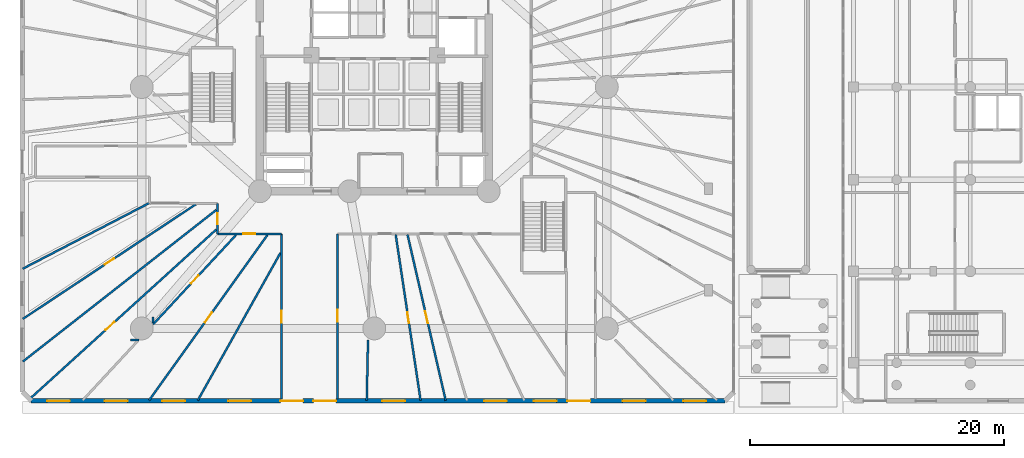
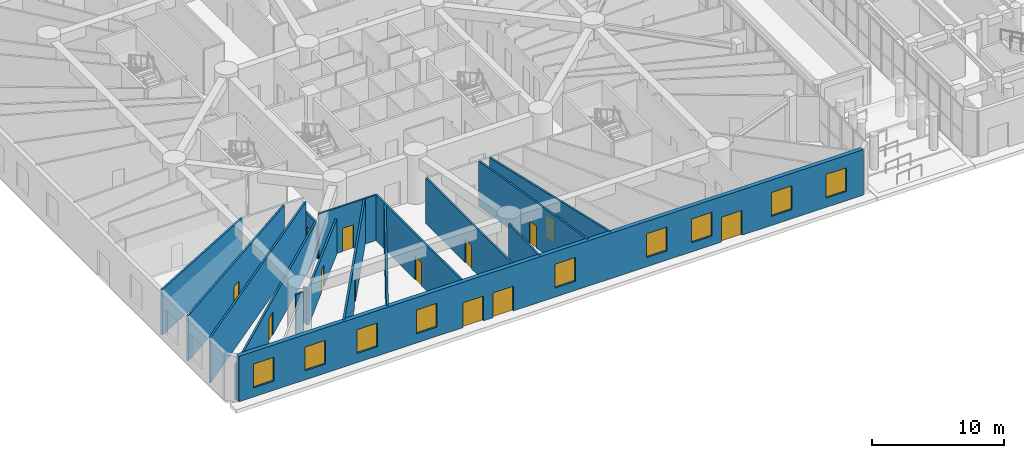
# One storey, part 13 of 30: 17 walls, 13 doors, 9 windows, 22 openings.
"""IFC4 building model written with IfcOpenShell, lengths in metres."""

from ifc_helpers import new_model, si_unit, direction, frame, frame_2d, origin, origin_with_axes, place, context, subcontext, project, spatial, rectangle, extrude, source, transform, mapped, material, layer, layer_set, type_object, element, fill, save


model = new_model("IFC4")

# Units and contexts
model_context = context("Model", 3, precision=1e-05, world=origin(), true_north=direction((0.0, 1.0)))
body_context = subcontext(model_context, "Body", "Model", "MODEL_VIEW")
ifc_project = project(units=[si_unit("LENGTHUNIT", "METRE"), si_unit("AREAUNIT", "SQUARE_METRE"), si_unit("VOLUMEUNIT", "CUBIC_METRE"), si_unit("PLANEANGLEUNIT", "RADIAN"), si_unit("MASSUNIT", "GRAM", prefix="KILO")], contexts=[model_context])

# Site, building, storey
site_placement = place(None, origin())
site = spatial("IfcSite", under=ifc_project, at=site_placement, CompositionType="ELEMENT")
building_placement = place(site_placement, origin())
building = spatial("IfcBuilding", under=site, at=building_placement, Name="Karkom Vertical University and Central Library", CompositionType="ELEMENT")
storey_placement = place(building_placement, origin())
storey = spatial("IfcBuildingStorey", under=building, at=storey_placement, Name="L00", CompositionType="ELEMENT", Elevation=0.0)

# Wall, openings, windows, doors
ifc_material_1 = material(Name="Brick masonry 360mm insulated cavity", Category="masonry")
ifc_layer_1 = layer(ifc_material_1, 0.360107421875)
ifc_layer_set_1 = layer_set([ifc_layer_1], Name="Brick masonry 360mm insulated cavity")
wall_type_1 = type_object("IfcWallType", Name="ENV-WL-BRK-360", PredefinedType="SOLIDWALL", material=ifc_layer_set_1)
wall_1_placement = place(storey_placement, frame((56.10009765625, 1.800048828125, 0.0), z_axis=(0.0, 0.0, 1.0), x_axis=(-1.0, 0.0, 0.0)))
wall_1 = element("IfcWall", 1, at=wall_1_placement, inside=storey, type_object=wall_type_1, Name="Level 00 POD Terracotta Brick Facade Wall 01", PredefinedType="SOLIDWALL", context=body_context, shape_type="SweptSolid", body=[
    extrude(rectangle(XDim=54.60009765625, YDim=0.360107421875, at=frame_2d((27.300048828125, 0.0))), origin(), (0.0, 0.0, 1.0), 4.199951171875),
])
opening_1_placement = place(wall_1_placement, frame((51.54736328125, 0.0, 0.85009765625)))
opening_1 = element("IfcOpeningElement", 2, at=opening_1_placement, cuts=wall_1, Name="Opening WN-01", PredefinedType="OPENING", context=body_context, shape_type="SweptSolid", body=[
    extrude(rectangle(XDim=1.800048828125, YDim=2.199951171875, at=frame_2d((0.89990234375, 1.10009765625))), frame((0.0, 0.18994140625, 0.0), z_axis=(0.0, -1.0, 0.0), x_axis=(1.0, 0.0, 0.0)), (0.0, 0.0, 1.0), 0.380126953125),
])
opening_2_placement = place(wall_1_placement, frame((47.014404296875, 0.0, 0.85009765625)))
opening_2 = element("IfcOpeningElement", 3, at=opening_2_placement, cuts=wall_1, Name="Opening WN-01", PredefinedType="OPENING", context=body_context, shape_type="SweptSolid", body=[
    extrude(rectangle(XDim=1.800048828125, YDim=2.199951171875, at=frame_2d((0.89990234375, 1.10009765625))), frame((0.0, 0.18994140625, 0.0), z_axis=(0.0, -1.0, 0.0), x_axis=(1.0, 0.0, 0.0)), (0.0, 0.0, 1.0), 0.380126953125),
])
opening_3_placement = place(wall_1_placement, frame((42.489501953125, 0.0, 0.85009765625)))
opening_3 = element("IfcOpeningElement", 4, at=opening_3_placement, cuts=wall_1, Name="Opening WN-01", PredefinedType="OPENING", context=body_context, shape_type="SweptSolid", body=[
    extrude(rectangle(XDim=1.800048828125, YDim=2.199951171875, at=frame_2d((0.89990234375, 1.10009765625))), frame((0.0, 0.18994140625, 0.0), z_axis=(0.0, -1.0, 0.0), x_axis=(1.0, 0.0, 0.0)), (0.0, 0.0, 1.0), 0.380126953125),
])
opening_4_placement = place(wall_1_placement, frame((37.28759765625, 0.0, 0.85009765625)))
opening_4 = element("IfcOpeningElement", 5, at=opening_4_placement, cuts=wall_1, Name="Opening WN-01", PredefinedType="OPENING", context=body_context, shape_type="SweptSolid", body=[
    extrude(rectangle(XDim=1.800048828125, YDim=2.199951171875, at=frame_2d((0.89990234375, 1.10009765625))), frame((0.0, 0.18994140625, 0.0), z_axis=(0.0, -1.0, 0.0), x_axis=(1.0, 0.0, 0.0)), (0.0, 0.0, 1.0), 0.380126953125),
])
opening_5_placement = place(wall_1_placement, frame((25.17626953125, 0.0, 0.85009765625)))
opening_5 = element("IfcOpeningElement", 6, at=opening_5_placement, cuts=wall_1, Name="Opening WN-01", PredefinedType="OPENING", context=body_context, shape_type="SweptSolid", body=[
    extrude(rectangle(XDim=1.800048828125, YDim=2.199951171875, at=frame_2d((0.89990234375, 1.10009765625))), frame((0.0, 0.18994140625, 0.0), z_axis=(0.0, -1.0, 0.0), x_axis=(1.0, 0.0, 0.0)), (0.0, 0.0, 1.0), 0.380126953125),
])
opening_6_placement = place(wall_1_placement, frame((17.161865234375, 0.0, 0.85009765625)))
opening_6 = element("IfcOpeningElement", 7, at=opening_6_placement, cuts=wall_1, Name="Opening WN-01", PredefinedType="OPENING", context=body_context, shape_type="SweptSolid", body=[
    extrude(rectangle(XDim=1.800048828125, YDim=2.199951171875, at=frame_2d((0.89990234375, 1.10009765625))), frame((0.0, 0.18994140625, 0.0), z_axis=(0.0, -1.0, 0.0), x_axis=(1.0, 0.0, 0.0)), (0.0, 0.0, 1.0), 0.380126953125),
])
opening_7_placement = place(wall_1_placement, frame((13.243896484375, 0.0, 0.85009765625)))
opening_7 = element("IfcOpeningElement", 8, at=opening_7_placement, cuts=wall_1, Name="Opening WN-01", PredefinedType="OPENING", context=body_context, shape_type="SweptSolid", body=[
    extrude(rectangle(XDim=1.800048828125, YDim=2.199951171875, at=frame_2d((0.89990234375, 1.10009765625))), frame((0.0, 0.18994140625, 0.0), z_axis=(0.0, -1.0, 0.0), x_axis=(1.0, 0.0, 0.0)), (0.0, 0.0, 1.0), 0.380126953125),
])
opening_8_placement = place(wall_1_placement, frame((6.25, 0.0, 0.85009765625)))
opening_8 = element("IfcOpeningElement", 9, at=opening_8_placement, cuts=wall_1, Name="Opening WN-01", PredefinedType="OPENING", context=body_context, shape_type="SweptSolid", body=[
    extrude(rectangle(XDim=1.800048828125, YDim=2.199951171875, at=frame_2d((0.89990234375, 1.10009765625))), frame((0.0, 0.18994140625, 0.0), z_axis=(0.0, -1.0, 0.0), x_axis=(1.0, 0.0, 0.0)), (0.0, 0.0, 1.0), 0.380126953125),
])
opening_9_placement = place(wall_1_placement, frame((1.480224609375, 0.0, 0.85009765625)))
opening_9 = element("IfcOpeningElement", 10, at=opening_9_placement, cuts=wall_1, Name="Opening WN-01", PredefinedType="OPENING", context=body_context, shape_type="SweptSolid", body=[
    extrude(rectangle(XDim=1.800048828125, YDim=2.199951171875, at=frame_2d((0.89990234375, 1.10009765625))), frame((0.0, 0.18994140625, 0.0), z_axis=(0.0, -1.0, 0.0), x_axis=(1.0, 0.0, 0.0)), (0.0, 0.0, 1.0), 0.380126953125),
])
opening_10_placement = place(wall_1_placement, frame((33.199951171875, 0.0, 0.0)))
opening_10 = element("IfcOpeningElement", 11, at=opening_10_placement, cuts=wall_1, Name="Opening ED-1", PredefinedType="OPENING", context=body_context, shape_type="SweptSolid", body=[
    extrude(rectangle(XDim=1.800048828125, YDim=2.300048828125, at=frame_2d((0.89990234375, 1.14990234375))), frame((0.0, 0.18994140625, 0.0), z_axis=(0.0, -1.0, 0.0), x_axis=(1.0, 0.0, 0.0)), (0.0, 0.0, 1.0), 0.380126953125),
])
opening_11_placement = place(wall_1_placement, frame((30.60009765625, 0.0, 0.0)))
opening_11 = element("IfcOpeningElement", 12, at=opening_11_placement, cuts=wall_1, Name="Opening ED-1", PredefinedType="OPENING", context=body_context, shape_type="SweptSolid", body=[
    extrude(rectangle(XDim=1.800048828125, YDim=2.300048828125, at=frame_2d((0.89990234375, 1.14990234375))), frame((0.0, 0.18994140625, 0.0), z_axis=(0.0, -1.0, 0.0), x_axis=(1.0, 0.0, 0.0)), (0.0, 0.0, 1.0), 0.380126953125),
])
opening_12_placement = place(wall_1_placement, frame((10.60009765625, 0.0, 0.0)))
opening_12 = element("IfcOpeningElement", 13, at=opening_12_placement, cuts=wall_1, Name="Opening ED-1", PredefinedType="OPENING", context=body_context, shape_type="SweptSolid", body=[
    extrude(rectangle(XDim=1.800048828125, YDim=2.300048828125, at=frame_2d((0.89990234375, 1.14990234375))), frame((0.0, 0.18994140625, 0.0), z_axis=(0.0, -1.0, 0.0), x_axis=(1.0, 0.0, 0.0)), (0.0, 0.0, 1.0), 0.380126953125),
])
ifc_material_2 = material(Name="Aluminium thermal-break frame with solar-control IGU", Category="aluminium")
window_type = type_object("IfcWindowType", Name="ENV-WIN-WN-01", PartitioningType="SINGLE_PANEL", PredefinedType="WINDOW", material=ifc_material_2)
shared_shape_1 = source(origin_with_axes(), body_context, "Body", "SweptSolid", [
    extrude(rectangle(XDim=1.800048828125, YDim=2.199951171875, at=frame_2d((0.89990234375, 1.10009765625))), frame((0.0, 0.030029296875, 0.0), z_axis=(0.0, -1.0, 0.0), x_axis=(1.0, 0.0, 0.0)), (0.0, 0.0, 1.0), 0.06005859375),
])
window_1_placement = place(opening_1_placement, origin())
window_1 = element("IfcWindow", 14, at=window_1_placement, inside=storey, type_object=window_type, Name="Level 00 POD Punched Window 01", OverallHeight=2.199951171875, OverallWidth=1.800048828125, PartitioningType="SINGLE_PANEL", PredefinedType="WINDOW", context=body_context, shape_type="MappedRepresentation", body=[
    mapped(shared_shape_1, transform((0.0, 0.0, 0.0), scale=1.0)),
])
fill(opening_1, window_1)
window_2_placement = place(opening_2_placement, origin())
window_2 = element("IfcWindow", 15, at=window_2_placement, inside=storey, type_object=window_type, Name="Level 00 POD Punched Window 02", OverallHeight=2.199951171875, OverallWidth=1.800048828125, PartitioningType="SINGLE_PANEL", PredefinedType="WINDOW", context=body_context, shape_type="MappedRepresentation", body=[
    mapped(shared_shape_1, transform((0.0, 0.0, 0.0), scale=1.0)),
])
fill(opening_2, window_2)
window_3_placement = place(opening_3_placement, origin())
window_3 = element("IfcWindow", 16, at=window_3_placement, inside=storey, type_object=window_type, Name="Level 00 POD Punched Window 03", OverallHeight=2.199951171875, OverallWidth=1.800048828125, PartitioningType="SINGLE_PANEL", PredefinedType="WINDOW", context=body_context, shape_type="MappedRepresentation", body=[
    mapped(shared_shape_1, transform((0.0, 0.0, 0.0), scale=1.0)),
])
fill(opening_3, window_3)
window_4_placement = place(opening_4_placement, origin())
window_4 = element("IfcWindow", 17, at=window_4_placement, inside=storey, type_object=window_type, Name="Level 00 POD Punched Window 04", OverallHeight=2.199951171875, OverallWidth=1.800048828125, PartitioningType="SINGLE_PANEL", PredefinedType="WINDOW", context=body_context, shape_type="MappedRepresentation", body=[
    mapped(shared_shape_1, transform((0.0, 0.0, 0.0), scale=1.0)),
])
fill(opening_4, window_4)
window_5_placement = place(opening_5_placement, origin())
window_5 = element("IfcWindow", 18, at=window_5_placement, inside=storey, type_object=window_type, Name="Level 00 POD Punched Window 06", OverallHeight=2.199951171875, OverallWidth=1.800048828125, PartitioningType="SINGLE_PANEL", PredefinedType="WINDOW", context=body_context, shape_type="MappedRepresentation", body=[
    mapped(shared_shape_1, transform((0.0, 0.0, 0.0), scale=1.0)),
])
fill(opening_5, window_5)
window_6_placement = place(opening_6_placement, origin())
window_6 = element("IfcWindow", 19, at=window_6_placement, inside=storey, type_object=window_type, Name="Level 00 POD Punched Window 07", OverallHeight=2.199951171875, OverallWidth=1.800048828125, PartitioningType="SINGLE_PANEL", PredefinedType="WINDOW", context=body_context, shape_type="MappedRepresentation", body=[
    mapped(shared_shape_1, transform((0.0, 0.0, 0.0), scale=1.0)),
])
fill(opening_6, window_6)
window_7_placement = place(opening_7_placement, origin())
window_7 = element("IfcWindow", 20, at=window_7_placement, inside=storey, type_object=window_type, Name="Level 00 POD Punched Window 08", OverallHeight=2.199951171875, OverallWidth=1.800048828125, PartitioningType="SINGLE_PANEL", PredefinedType="WINDOW", context=body_context, shape_type="MappedRepresentation", body=[
    mapped(shared_shape_1, transform((0.0, 0.0, 0.0), scale=1.0)),
])
fill(opening_7, window_7)
window_8_placement = place(opening_8_placement, origin())
window_8 = element("IfcWindow", 21, at=window_8_placement, inside=storey, type_object=window_type, Name="Level 00 POD Punched Window 09", OverallHeight=2.199951171875, OverallWidth=1.800048828125, PartitioningType="SINGLE_PANEL", PredefinedType="WINDOW", context=body_context, shape_type="MappedRepresentation", body=[
    mapped(shared_shape_1, transform((0.0, 0.0, 0.0), scale=1.0)),
])
fill(opening_8, window_8)
window_9_placement = place(opening_9_placement, origin())
window_9 = element("IfcWindow", 22, at=window_9_placement, inside=storey, type_object=window_type, Name="Level 00 POD Punched Window 10", OverallHeight=2.199951171875, OverallWidth=1.800048828125, PartitioningType="SINGLE_PANEL", PredefinedType="WINDOW", context=body_context, shape_type="MappedRepresentation", body=[
    mapped(shared_shape_1, transform((0.0, 0.0, 0.0), scale=1.0)),
])
fill(opening_9, window_9)
ifc_material_3 = material(Name="Thermally broken glazed steel exit door", Category="steel")
door_type_1 = type_object("IfcDoorType", Name="ENV-DR-ED1", OperationType="DOUBLE_DOOR_SINGLE_SWING", PredefinedType="DOOR", material=ifc_material_3)
shared_shape_2 = source(origin_with_axes(), body_context, "Body", "SweptSolid", [
    extrude(rectangle(XDim=1.800048828125, YDim=2.300048828125, at=frame_2d((0.89990234375, 1.14990234375))), frame((0.0, 0.02490234375, 0.0), z_axis=(0.0, -1.0, 0.0), x_axis=(1.0, 0.0, 0.0)), (0.0, 0.0, 1.0), 0.050048828125),
])
door_1_placement = place(opening_10_placement, origin())
door_1 = element("IfcDoor", 23, at=door_1_placement, inside=storey, type_object=door_type_1, Name="Level 00 Final Ground Exit Door ED-01", OperationType="DOUBLE_DOOR_SINGLE_SWING", OverallHeight=2.300048828125, OverallWidth=1.800048828125, PredefinedType="DOOR", context=body_context, shape_type="MappedRepresentation", body=[
    mapped(shared_shape_2, transform((0.0, 0.0, 0.0), scale=1.0)),
])
fill(opening_10, door_1)
door_2_placement = place(opening_11_placement, origin())
door_2 = element("IfcDoor", 24, at=door_2_placement, inside=storey, type_object=door_type_1, Name="Level 00 Final Ground Exit Door ED-02", OperationType="DOUBLE_DOOR_SINGLE_SWING", OverallHeight=2.300048828125, OverallWidth=1.800048828125, PredefinedType="DOOR", context=body_context, shape_type="MappedRepresentation", body=[
    mapped(shared_shape_2, transform((0.0, 0.0, 0.0), scale=1.0)),
])
fill(opening_11, door_2)
door_3_placement = place(opening_12_placement, origin())
door_3 = element("IfcDoor", 25, at=door_3_placement, inside=storey, type_object=door_type_1, Name="Level 00 Final Ground Exit Door ED-06", OperationType="DOUBLE_DOOR_SINGLE_SWING", OverallHeight=2.300048828125, OverallWidth=1.800048828125, PredefinedType="DOOR", context=body_context, shape_type="MappedRepresentation", body=[
    mapped(shared_shape_2, transform((0.0, 0.0, 0.0), scale=1.0)),
])
fill(opening_12, door_3)

# Wall, opening, door
ifc_material_4 = material(Name="Insulated metal-stud drywall 160mm", Category="gypsum")
ifc_layer_2 = layer(ifc_material_4, 0.159912109375)
ifc_layer_set_2 = layer_set([ifc_layer_2], Name="Insulated metal-stud drywall 160mm")
wall_type_2 = type_object("IfcWallType", Name="INT-WL-COR-160", PredefinedType="PARTITIONING", material=ifc_layer_set_2)
wall_2_placement = place(storey_placement, frame((16.068115234375, 15.2890625, 0.0), z_axis=(0.0, 0.0, 1.0), x_axis=(-0.740229029454, -0.672354805109, 0.0)))
wall_2 = element("IfcWall", 26, at=wall_2_placement, inside=storey, type_object=wall_type_2, Name="Level 00 Interior Partition Wall L00-PODW-06-07-1", PredefinedType="PARTITIONING", context=body_context, shape_type="SweptSolid", body=[
    extrude(rectangle(XDim=19.837158203125, YDim=0.159912109375, at=frame_2d((9.91845703125, 0.0))), origin(), (0.0, 0.0, 1.0), 3.25),
])
opening_13_placement = place(wall_2_placement, frame((10.81591796875, 0.0, 0.0)))
opening_13 = element("IfcOpeningElement", 27, at=opening_13_placement, cuts=wall_2, Name="Opening FD-RM2", PredefinedType="OPENING", context=body_context, shape_type="SweptSolid", body=[
    extrude(rectangle(XDim=0.9599609375, YDim=2.14990234375, at=frame_2d((0.47998046875, 1.074951171875))), frame((0.0, 0.08984375, 0.0), z_axis=(0.0, -1.0, 0.0), x_axis=(1.0, 0.0, 0.0)), (0.0, 0.0, 1.0), 0.179931640625),
])
ifc_material_5 = material(Name="Fire-rated oak veneer door", Category="wood")
door_type_2 = type_object("IfcDoorType", Name="INT-DR-FRM2", OperationType="NOTDEFINED", PredefinedType="DOOR", material=ifc_material_5)
shared_shape_3 = source(origin_with_axes(), body_context, "Body", "SweptSolid", [
    extrude(rectangle(XDim=0.9599609375, YDim=2.14990234375, at=frame_2d((0.47998046875, 1.074951171875))), frame((0.0, 0.02490234375, 0.0), z_axis=(0.0, -1.0, 0.0), x_axis=(1.0, 0.0, 0.0)), (0.0, 0.0, 1.0), 0.050048828125),
])
door_4_placement = place(opening_13_placement, origin())
door_4 = element("IfcDoor", 28, at=door_4_placement, inside=storey, type_object=door_type_2, Name="Level 00 Room Entry Door 806", OperationType="SINGLE_SWING_LEFT", OverallHeight=2.14990234375, OverallWidth=0.9599609375, PredefinedType="DOOR", context=body_context, shape_type="MappedRepresentation", body=[
    mapped(shared_shape_3, transform((0.0, 0.0, 0.0), scale=1.0)),
])
fill(opening_13, door_4)

# Wall
wall_3_placement = place(storey_placement, frame((16.068115234375, 16.830078125, 0.0), z_axis=(0.0, 0.0, 1.0), x_axis=(-0.786986378296, -0.616970372366, 0.0)))
element("IfcWall", 29, at=wall_3_placement, inside=storey, type_object=wall_type_2, Name="Level 00 Interior Partition Wall L00-PODW-05-06-1", PredefinedType="PARTITIONING", context=body_context, shape_type="SweptSolid", body=[
    extrude(rectangle(XDim=19.351318359375, YDim=0.159912109375, at=frame_2d((9.67578125, 0.0))), origin(), (0.0, 0.0, 1.0), 4.199951171875),
])

# Wall, opening, door
wall_4_placement = place(storey_placement, frame((14.4541015625, 17.26806640625, 0.0), z_axis=(0.0, 0.0, 1.0), x_axis=(-0.83369067589, -0.55223170584, 0.0)))
wall_4 = element("IfcWall", 30, at=wall_4_placement, inside=storey, type_object=wall_type_2, Name="Level 00 Interior Partition Wall L00-PODW-04-05-1", PredefinedType="PARTITIONING", context=body_context, shape_type="SweptSolid", body=[
    extrude(rectangle(XDim=16.335205078125, YDim=0.159912109375, at=frame_2d((8.16748046875, 0.0))), origin(), (0.0, 0.0, 1.0), 4.199951171875),
])
opening_14_placement = place(wall_4_placement, frame((7.7373046875, 0.0, 0.0)))
opening_14 = element("IfcOpeningElement", 31, at=opening_14_placement, cuts=wall_4, Name="Opening FD-BTH2", PredefinedType="OPENING", context=body_context, shape_type="SweptSolid", body=[
    extrude(rectangle(XDim=0.860107421875, YDim=2.0400390625, at=frame_2d((0.43017578125, 1.02001953125))), frame((0.0, 0.08984375, 0.0), z_axis=(0.0, -1.0, 0.0), x_axis=(1.0, 0.0, 0.0)), (0.0, 0.0, 1.0), 0.179931640625),
])
ifc_material_6 = material(Name="Fire-rated moisture-resistant oak door", Category="wood")
door_type_3 = type_object("IfcDoorType", Name="INT-DR-FBTH2", OperationType="NOTDEFINED", PredefinedType="DOOR", material=ifc_material_6)
shared_shape_4 = source(origin_with_axes(), body_context, "Body", "SweptSolid", [
    extrude(rectangle(XDim=0.860107421875, YDim=2.0400390625, at=frame_2d((0.43017578125, 1.02001953125))), frame((0.0, 0.02490234375, 0.0), z_axis=(0.0, -1.0, 0.0), x_axis=(1.0, 0.0, 0.0)), (0.0, 0.0, 1.0), 0.050048828125),
])
door_5_placement = place(opening_14_placement, origin())
door_5 = element("IfcDoor", 32, at=door_5_placement, inside=storey, type_object=door_type_3, Name="Level 00 Campus Security Operations Office Entry Door", OperationType="SINGLE_SWING_LEFT", OverallHeight=2.0400390625, OverallWidth=0.860107421875, PredefinedType="DOOR", context=body_context, shape_type="MappedRepresentation", body=[
    mapped(shared_shape_4, transform((0.0, 0.0, 0.0), scale=1.0)),
])
fill(opening_14, door_5)

wall_5_placement = place(storey_placement, frame((20.101318359375, 14.867919921875, 0.0), z_axis=(0.0, 0.0, 1.0), x_axis=(-0.581991703878, -0.813194722448, 0.0)))
wall_5 = element("IfcWall", 33, at=wall_5_placement, inside=storey, type_object=wall_type_2, Name="Level 00 Interior Partition Wall L00-PODW-08-09-1", PredefinedType="PARTITIONING", context=body_context, shape_type="SweptSolid", body=[
    extrude(rectangle(XDim=16.024169921875, YDim=0.159912109375, at=frame_2d((8.01220703125, 0.0))), origin(), (0.0, 0.0, 1.0), 4.199951171875),
])
opening_15_placement = place(wall_5_placement, frame((7.519775390625, 0.0, 0.0)))
opening_15 = element("IfcOpeningElement", 34, at=opening_15_placement, cuts=wall_5, Name="Opening FD-RM2", PredefinedType="OPENING", context=body_context, shape_type="SweptSolid", body=[
    extrude(rectangle(XDim=0.9599609375, YDim=2.14990234375, at=frame_2d((0.47998046875, 1.074951171875))), frame((0.0, 0.08984375, 0.0), z_axis=(0.0, -1.0, 0.0), x_axis=(1.0, 0.0, 0.0)), (0.0, 0.0, 1.0), 0.179931640625),
])
door_6_placement = place(opening_15_placement, origin())
door_6 = element("IfcDoor", 35, at=door_6_placement, inside=storey, type_object=door_type_2, Name="Level 00 Room Entry Door 808", OperationType="SINGLE_SWING_LEFT", OverallHeight=2.14990234375, OverallWidth=0.9599609375, PredefinedType="DOOR", context=body_context, shape_type="MappedRepresentation", body=[
    mapped(shared_shape_3, transform((0.0, 0.0, 0.0), scale=1.0)),
])
fill(opening_15, door_6)

wall_6_placement = place(storey_placement, frame((31.1142578125, 14.882568359375, 0.0), z_axis=(0.0, 0.0, 1.0), x_axis=(0.22446422468, -0.974482330183, 0.0)))
wall_6 = element("IfcWall", 36, at=wall_6_placement, inside=storey, type_object=wall_type_2, Name="Level 00 Interior Partition Wall L00-PODW-13-14-1", PredefinedType="PARTITIONING", context=body_context, shape_type="SweptSolid", body=[
    extrude(rectangle(XDim=13.397705078125, YDim=0.159912109375, at=frame_2d((6.69873046875, 0.0))), origin(), (0.0, 0.0, 1.0), 4.199951171875),
])
opening_16_placement = place(wall_6_placement, frame((6.198974609375, 0.0, 0.0)))
opening_16 = element("IfcOpeningElement", 37, at=opening_16_placement, cuts=wall_6, Name="Opening FD-RM2", PredefinedType="OPENING", context=body_context, shape_type="SweptSolid", body=[
    extrude(rectangle(XDim=0.9599609375, YDim=2.14990234375, at=frame_2d((0.47998046875, 1.074951171875))), frame((0.0, 0.08984375, 0.0), z_axis=(0.0, -1.0, 0.0), x_axis=(1.0, 0.0, 0.0)), (0.0, 0.0, 1.0), 0.179931640625),
])
door_7_placement = place(opening_16_placement, origin())
door_7 = element("IfcDoor", 38, at=door_7_placement, inside=storey, type_object=door_type_2, Name="Level 00 Room Entry Door 813", OperationType="SINGLE_SWING_RIGHT", OverallHeight=2.14990234375, OverallWidth=0.9599609375, PredefinedType="DOOR", context=body_context, shape_type="MappedRepresentation", body=[
    mapped(shared_shape_3, transform((0.0, 0.0, 0.0), scale=1.0)),
])
fill(opening_16, door_7)

# Wall
wall_7_placement = place(storey_placement, frame((21.117919921875, 13.449951171875, 0.0), z_axis=(0.0, 0.0, 1.0), x_axis=(-0.488869643444, -0.872356848841, 0.0)))
element("IfcWall", 39, at=wall_7_placement, inside=storey, type_object=wall_type_2, Name="Level 00 Interior Partition Wall L00-PODW-09-10-1", PredefinedType="PARTITIONING", context=body_context, shape_type="SweptSolid", body=[
    extrude(rectangle(XDim=13.31640625, YDim=0.159912109375, at=frame_2d((6.658203125, 0.0))), origin(), (0.0, 0.0, 1.0), 4.199951171875),
])

# Wall, opening, door
wall_8_placement = place(storey_placement, frame((30.185302734375, 14.8828125, 0.0), z_axis=(0.0, 0.0, 1.0), x_axis=(0.148624355267, -0.988893725848, 0.0)))
wall_8 = element("IfcWall", 40, at=wall_8_placement, inside=storey, type_object=wall_type_2, Name="Level 00 Interior Partition Wall L00-PODW-12-13-1", PredefinedType="PARTITIONING", context=body_context, shape_type="SweptSolid", body=[
    extrude(rectangle(XDim=13.203857421875, YDim=0.159912109375, at=frame_2d((6.60205078125, 0.0))), origin(), (0.0, 0.0, 1.0), 4.199951171875),
])
opening_17_placement = place(wall_8_placement, frame((6.171875, 0.0, 0.0)))
opening_17 = element("IfcOpeningElement", 41, at=opening_17_placement, cuts=wall_8, Name="Opening FD-BTH2", PredefinedType="OPENING", context=body_context, shape_type="SweptSolid", body=[
    extrude(rectangle(XDim=0.860107421875, YDim=2.0400390625, at=frame_2d((0.43017578125, 1.02001953125))), frame((0.0, 0.08984375, 0.0), z_axis=(0.0, -1.0, 0.0), x_axis=(1.0, 0.0, 0.0)), (0.0, 0.0, 1.0), 0.179931640625),
])
door_8_placement = place(opening_17_placement, origin())
door_8 = element("IfcDoor", 42, at=door_8_placement, inside=storey, type_object=door_type_3, Name="Level 00 Undergraduate Advising Office Entry Door", OperationType="SINGLE_SWING_RIGHT", OverallHeight=2.0400390625, OverallWidth=0.860107421875, PredefinedType="DOOR", context=body_context, shape_type="MappedRepresentation", body=[
    mapped(shared_shape_4, transform((0.0, 0.0, 0.0), scale=1.0)),
])
fill(opening_17, door_8)

# Wall
wall_9_placement = place(storey_placement, frame((10.82666015625, 17.388916015625, 0.0), z_axis=(0.0, 0.0, 1.0), x_axis=(-0.8874495265, -0.460904912009, 0.0)))
element("IfcWall", 43, at=wall_9_placement, inside=storey, type_object=wall_type_2, Name="Level 00 Interior Partition Wall L00-PODW-03-04-1", PredefinedType="PARTITIONING", context=body_context, shape_type="SweptSolid", body=[
    extrude(rectangle(XDim=11.261962890625, YDim=0.159912109375, at=frame_2d((5.630859375, 0.0))), origin(), (0.0, 0.0, 1.0), 4.199951171875),
])

# Wall, opening, door
wall_10_placement = place(storey_placement, frame((17.631103515625, 14.867919921875, 0.0), z_axis=(0.0, 0.0, 1.0), x_axis=(-0.679969088338, -0.733240778261, 0.0)))
wall_10 = element("IfcWall", 44, at=wall_10_placement, inside=storey, type_object=wall_type_2, Name="Level 00 Interior Partition Wall L00-PODW-07-08-3", PredefinedType="PARTITIONING", context=body_context, shape_type="SweptSolid", body=[
    extrude(rectangle(XDim=9.61962890625, YDim=0.159912109375, at=frame_2d((4.809814453125, 0.0))), origin(), (0.0, 0.0, 1.0), 3.25),
])
opening_18_placement = place(wall_10_placement, frame((4.3798828125, 0.0, 0.0)))
opening_18 = element("IfcOpeningElement", 45, at=opening_18_placement, cuts=wall_10, Name="Opening FD-BTH2", PredefinedType="OPENING", context=body_context, shape_type="SweptSolid", body=[
    extrude(rectangle(XDim=0.860107421875, YDim=2.0400390625, at=frame_2d((0.43017578125, 1.02001953125))), frame((0.0, 0.08984375, 0.0), z_axis=(0.0, -1.0, 0.0), x_axis=(1.0, 0.0, 0.0)), (0.0, 0.0, 1.0), 0.179931640625),
])
door_9_placement = place(opening_18_placement, origin())
door_9 = element("IfcDoor", 46, at=door_9_placement, inside=storey, type_object=door_type_3, Name="Level 00 Audio-Visual Equipment Loan Store Entry Door", OperationType="SINGLE_SWING_LEFT", OverallHeight=2.0400390625, OverallWidth=0.860107421875, PredefinedType="DOOR", context=body_context, shape_type="MappedRepresentation", body=[
    mapped(shared_shape_4, transform((0.0, 0.0, 0.0), scale=1.0)),
])
fill(opening_18, door_9)

# Walls
wall_11_placement = place(storey_placement, frame((28.008056640625, 6.610107421875, 0.0), z_axis=(0.0, 0.0, 1.0), x_axis=(-0.021729561994, -0.999763885193, 0.0)))
element("IfcWall", 47, at=wall_11_placement, inside=storey, type_object=wall_type_2, Name="Level 00 Interior Partition Wall L00-PODW-11-12-2", PredefinedType="PARTITIONING", context=body_context, shape_type="SweptSolid", body=[
    extrude(rectangle(XDim=4.786376953125, YDim=0.159912109375, at=frame_2d((2.39306640625, 0.0))), origin(), (0.0, 0.0, 1.0), 4.199951171875),
])
wall_12_placement = place(storey_placement, frame((9.31005859375, 6.610107421875, 0.0), z_axis=(0.0, 0.0, 1.0), x_axis=(1.0, 0.0, 0.0)))
element("IfcWall", 48, at=wall_12_placement, inside=storey, type_object=wall_type_2, Name="Level 00 Interior Partition Wall L00-PODW-07-08-1", PredefinedType="PARTITIONING", context=body_context, shape_type="SweptSolid", body=[
    extrude(rectangle(XDim=0.6630859375, YDim=0.159912109375, at=frame_2d((0.33154296875, 0.0))), origin(), (0.0, 0.0, 1.0), 4.199951171875),
])
wall_13_placement = place(storey_placement, frame((11.090087890625, 7.93505859375, 0.0), z_axis=(0.0, 0.0, 1.0), x_axis=(0.0, 1.0, 0.0)))
element("IfcWall", 49, at=wall_13_placement, inside=storey, type_object=wall_type_2, Name="Level 00 Interior Partition Wall L00-PODW-07-08-4", PredefinedType="PARTITIONING", context=body_context, shape_type="SweptSolid", body=[
    extrude(rectangle(XDim=0.454833984375, YDim=0.159912109375, at=frame_2d((0.2275390625, 0.0))), origin(), (0.0, 0.0, 1.0), 3.25),
])

# Wall, opening, door
ifc_layer_3 = layer(ifc_material_4, 0.159912109375)
ifc_layer_set_3 = layer_set([ifc_layer_3], Name="Insulated metal-stud drywall 160mm")
wall_type_3 = type_object("IfcWallType", Name="INT-WL-COR-160F", PredefinedType="PARTITIONING", material=ifc_layer_set_3)
wall_14_placement = place(storey_placement, frame((25.60009765625, 14.949951171875, 0.0), z_axis=(0.0, 0.0, 1.0), x_axis=(0.0, -1.0, 0.0)))
wall_14 = element("IfcWall", 50, at=wall_14_placement, inside=storey, type_object=wall_type_3, Name="Level 00 Interior Partition Wall L00-PDCW-CW-011", PredefinedType="PARTITIONING", context=body_context, shape_type="SweptSolid", body=[
    extrude(rectangle(XDim=12.98486328125, YDim=0.159912109375, at=frame_2d((6.492431640625, 0.0))), origin(), (0.0, 0.0, 1.0), 4.199951171875),
])
opening_19_placement = place(wall_14_placement, frame((5.97998046875, 0.0, 0.0)))
opening_19 = element("IfcOpeningElement", 51, at=opening_19_placement, cuts=wall_14, Name="Opening FD-RM2", PredefinedType="OPENING", context=body_context, shape_type="SweptSolid", body=[
    extrude(rectangle(XDim=0.9599609375, YDim=2.14990234375, at=frame_2d((0.47998046875, 1.074951171875))), frame((0.0, 0.08984375, 0.0), z_axis=(0.0, -1.0, 0.0), x_axis=(1.0, 0.0, 0.0)), (0.0, 0.0, 1.0), 0.179931640625),
])
door_10_placement = place(opening_19_placement, origin())
door_10 = element("IfcDoor", 52, at=door_10_placement, inside=storey, type_object=door_type_2, Name="Level 00 Room Entry Door 810", OperationType="SINGLE_SWING_LEFT", OverallHeight=2.14990234375, OverallWidth=0.9599609375, PredefinedType="DOOR", context=body_context, shape_type="MappedRepresentation", body=[
    mapped(shared_shape_3, transform((0.0, 0.0, 0.0), scale=1.0)),
])
fill(opening_19, door_10)

wall_15_placement = place(storey_placement, frame((21.199951171875, 1.965087890625, 0.0), z_axis=(0.0, 0.0, 1.0), x_axis=(0.0, 1.0, 0.0)))
wall_15 = element("IfcWall", 53, at=wall_15_placement, inside=storey, type_object=wall_type_3, Name="Level 00 Interior Partition Wall L00-PDCW-CW-012", PredefinedType="PARTITIONING", context=body_context, shape_type="SweptSolid", body=[
    extrude(rectangle(XDim=12.98486328125, YDim=0.159912109375, at=frame_2d((6.492431640625, 0.0))), origin(), (0.0, 0.0, 1.0), 4.199951171875),
])
opening_20_placement = place(wall_15_placement, frame((5.97998046875, 0.0, 0.0)))
opening_20 = element("IfcOpeningElement", 54, at=opening_20_placement, cuts=wall_15, Name="Opening FD-RM2", PredefinedType="OPENING", context=body_context, shape_type="SweptSolid", body=[
    extrude(rectangle(XDim=0.9599609375, YDim=2.14990234375, at=frame_2d((0.47998046875, 1.074951171875))), frame((0.0, 0.08984375, 0.0), z_axis=(0.0, -1.0, 0.0), x_axis=(1.0, 0.0, 0.0)), (0.0, 0.0, 1.0), 0.179931640625),
])
door_11_placement = place(opening_20_placement, origin())
door_11 = element("IfcDoor", 55, at=door_11_placement, inside=storey, type_object=door_type_2, Name="Level 00 Room Entry Door 809", OperationType="SINGLE_SWING_RIGHT", OverallHeight=2.14990234375, OverallWidth=0.9599609375, PredefinedType="DOOR", context=body_context, shape_type="MappedRepresentation", body=[
    mapped(shared_shape_3, transform((0.0, 0.0, 0.0), scale=1.0)),
])
fill(opening_20, door_11)

wall_16_placement = place(storey_placement, frame((21.199951171875, 14.949951171875, 0.0), z_axis=(0.0, 0.0, 1.0), x_axis=(-1.0, 0.0, 0.0)))
wall_16 = element("IfcWall", 56, at=wall_16_placement, inside=storey, type_object=wall_type_3, Name="Level 00 Interior Partition Wall L00-PDCW-CW-013", PredefinedType="PARTITIONING", context=body_context, shape_type="SweptSolid", body=[
    extrude(rectangle(XDim=5.050048828125, YDim=0.159912109375, at=frame_2d((2.52490234375, 0.0))), origin(), (0.0, 0.0, 1.0), 4.199951171875),
])
opening_21_placement = place(wall_16_placement, frame((2.050048828125, 0.0, 0.0)))
opening_21 = element("IfcOpeningElement", 57, at=opening_21_placement, cuts=wall_16, Name="Opening FD-RM2", PredefinedType="OPENING", context=body_context, shape_type="SweptSolid", body=[
    extrude(rectangle(XDim=0.9599609375, YDim=2.14990234375, at=frame_2d((0.47998046875, 1.074951171875))), frame((0.0, 0.08984375, 0.0), z_axis=(0.0, -1.0, 0.0), x_axis=(1.0, 0.0, 0.0)), (0.0, 0.0, 1.0), 0.179931640625),
])
door_12_placement = place(opening_21_placement, origin())
door_12 = element("IfcDoor", 58, at=door_12_placement, inside=storey, type_object=door_type_2, Name="Level 00 Room Entry Door 807", OperationType="SINGLE_SWING_RIGHT", OverallHeight=2.14990234375, OverallWidth=0.9599609375, PredefinedType="DOOR", context=body_context, shape_type="MappedRepresentation", body=[
    mapped(shared_shape_3, transform((0.0, 0.0, 0.0), scale=1.0)),
])
fill(opening_21, door_12)

wall_17_placement = place(storey_placement, frame((16.14990234375, 14.949951171875, 0.0), z_axis=(0.0, 0.0, 1.0), x_axis=(0.0, 1.0, 0.0)))
wall_17 = element("IfcWall", 59, at=wall_17_placement, inside=storey, type_object=wall_type_3, Name="Level 00 Interior Partition Wall L00-PDCW-CW-014", PredefinedType="PARTITIONING", context=body_context, shape_type="SweptSolid", body=[
    extrude(rectangle(XDim=2.400146484375, YDim=0.159912109375, at=frame_2d((1.2001953125, 0.0))), origin(), (0.0, 0.0, 1.0), 3.25),
])
opening_22_placement = place(wall_17_placement, frame((0.77001953125, 0.0, 0.0)))
opening_22 = element("IfcOpeningElement", 60, at=opening_22_placement, cuts=wall_17, Name="Opening FD-BTH2", PredefinedType="OPENING", context=body_context, shape_type="SweptSolid", body=[
    extrude(rectangle(XDim=0.860107421875, YDim=2.0400390625, at=frame_2d((0.43017578125, 1.02001953125))), frame((0.0, 0.08984375, 0.0), z_axis=(0.0, -1.0, 0.0), x_axis=(1.0, 0.0, 0.0)), (0.0, 0.0, 1.0), 0.179931640625),
])
door_13_placement = place(opening_22_placement, origin())
door_13 = element("IfcDoor", 61, at=door_13_placement, inside=storey, type_object=door_type_3, Name="Level 00 International Scholars Office Entry Door", OperationType="SINGLE_SWING_RIGHT", OverallHeight=2.0400390625, OverallWidth=0.860107421875, PredefinedType="DOOR", context=body_context, shape_type="MappedRepresentation", body=[
    mapped(shared_shape_4, transform((0.0, 0.0, 0.0), scale=1.0)),
])
fill(opening_22, door_13)

save(model, "model.ifc")
